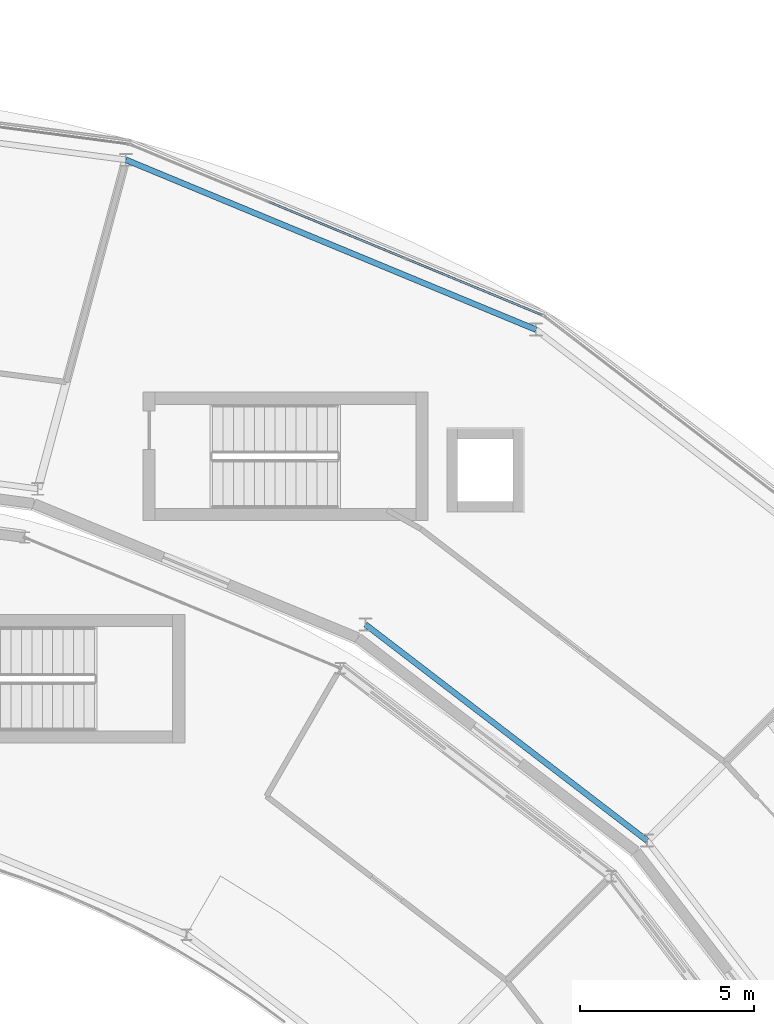
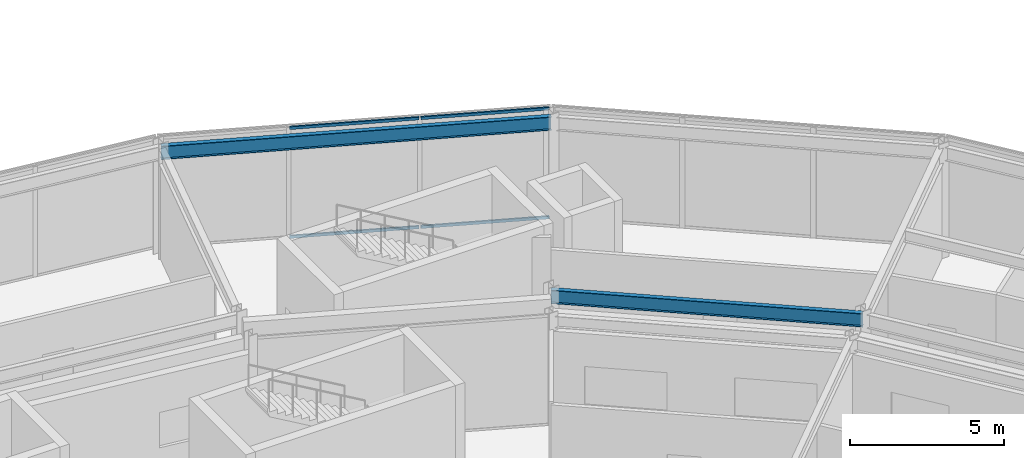
# One storey, part 83 of 157: 4 members, 2 beams, 1 element without a shape of its own.
"""IFC4 building model written with IfcOpenShell, lengths in metres."""

from ifc_helpers import new_model, si_unit, direction, frame, origin, origin_2d, place, context, subcontext, project, spatial, hollow_rectangle, i_section, extrude, material, material_profile, profile_set, type_object, element, aggregate, save


model = new_model("IFC4")

# Units and contexts
model_context = context("Model", 3, precision=1e-05, world=origin(), true_north=direction((0.0, 1.0)))
body_context = subcontext(model_context, "Body", "Model", "MODEL_VIEW")
ifc_project = project(units=[si_unit("LENGTHUNIT", "METRE"), si_unit("AREAUNIT", "SQUARE_METRE"), si_unit("VOLUMEUNIT", "CUBIC_METRE"), si_unit("PLANEANGLEUNIT", "RADIAN"), si_unit("MASSUNIT", "GRAM", prefix="KILO")], contexts=[model_context])

# Site, building, storey
site_placement = place(None, origin())
site = spatial("IfcSite", under=ifc_project, at=site_placement, CompositionType="ELEMENT")
building_placement = place(site_placement, origin())
building = spatial("IfcBuilding", under=site, at=building_placement, Name="Almandine Court Research Institute", CompositionType="ELEMENT")
storey_placement = place(building_placement, frame((0.0, 0.0, 5.25)))
storey = spatial("IfcBuildingStorey", under=building, at=storey_placement, Name="L01", CompositionType="ELEMENT", Elevation=5.25)

# Beams
ifc_material_1 = material(Name="Steel ASTM A992 Grade 50", Category="steel")
ifc_material_profile_1 = material_profile(ifc_material_1, i_section(OverallWidth=0.166015625, OverallDepth=0.534912109375, WebThickness=0.010009765625, FlangeThickness=0.01708984375, at=origin_2d()), Name="W530x85")
ifc_profile_set_1 = profile_set([ifc_material_profile_1], Name="Steel ASTM A992 Grade 50")
beam_type = type_object("IfcBeamType", Name="Beam-G-05-E", PredefinedType="SPANDREL", material=ifc_profile_set_1)
beam_1_placement = place(storey_placement, frame((114.64794921875, 83.64794921875, 4.10205078125), z_axis=(-0.793335653042, 0.608784478787, 0.0), x_axis=(-0.608784478787, -0.793335653042, 0.0)))
element("IfcBeam", 1, at=beam_1_placement, inside=storey, type_object=beam_type, Name="L01 Drum IN Ring Beam 03", PredefinedType="SPANDREL", context=body_context, shape_type="SweptSolid", body=[
    extrude(i_section(OverallWidth=0.166015625, OverallDepth=0.534912109375, WebThickness=0.010009765625, FlangeThickness=0.01708984375, at=origin_2d()), origin(), (0.0, 0.0, 1.0), 10.20751953125),
])
beam_2_placement = place(storey_placement, frame((111.449951171875, 98.34912109375, 4.10205078125), z_axis=(-0.923891897665, 0.382653578879, 0.0), x_axis=(-0.382653578879, -0.923891897665, 0.0)))
element("IfcBeam", 2, at=beam_2_placement, inside=storey, type_object=beam_type, Name="L01 Drum OUT Ring Beam 04", PredefinedType="SPANDREL", context=body_context, shape_type="SweptSolid", body=[
    extrude(i_section(OverallWidth=0.166015625, OverallDepth=0.534912109375, WebThickness=0.010009765625, FlangeThickness=0.01708984375, at=origin_2d()), origin(), (0.0, 0.0, 1.0), 12.765625),
])

# Curtain wall, members
ifc_material_2 = material(Name="Unitised Curtain Wall Framing and Solar Glazing", Category="glass")
curtain_wall_type = type_object("IfcCurtainWallType", Name="CW-CWG-20", PredefinedType="USERDEFINED", material=ifc_material_2)
curtain_wall_placement = place(storey_placement, origin())
curtain_wall = element("IfcCurtainWall", 3, at=curtain_wall_placement, inside=storey, type_object=curtain_wall_type, Name="L01 Stacked-Ring Drum Outer Unitised Glazing 04", ObjectType="UNITISED GLAZING", PredefinedType="USERDEFINED")
ifc_material_3 = material(Name="Anodised Aluminium AW-6063-T6", Category="aluminium")
ifc_material_profile_2 = material_profile(ifc_material_3, hollow_rectangle(XDim=0.06005859375, YDim=0.110107421875, WallThickness=0.00390625, at=origin_2d()), Name="ALU RHS 60x110x4")
ifc_profile_set_2 = profile_set([ifc_material_profile_2], Name="Anodised Aluminium AW-6063-T6")
member_type = type_object("IfcMemberType", Name="CWTrn-60x110", PredefinedType="NOTDEFINED", material=ifc_profile_set_2)
member_1_placement = place(storey_placement, frame((103.772705078125, 102.02294921875, 0.030029296875), z_axis=(0.92387693948, -0.382689692437, 0.0), x_axis=(0.382689692437, 0.92387693948, 0.0)))
member_1 = element("IfcMember", 4, at=member_1_placement, type_object=member_type, Name="CWG-20 transom 2.1", ObjectType="TRANSOM", PredefinedType="USERDEFINED", context=body_context, shape_type="SweptSolid", body=[
    extrude(hollow_rectangle(XDim=0.06005859375, YDim=0.110107421875, WallThickness=0.00390625, at=origin_2d()), origin(), (0.0, 0.0, 1.0), 4.23291015625),
])
member_2_placement = place(storey_placement, frame((103.772705078125, 102.02294921875, 4.340087890625), z_axis=(0.92387693948, -0.382689692437, 0.0), x_axis=(0.382689692437, 0.92387693948, 0.0)))
member_2 = element("IfcMember", 5, at=member_2_placement, type_object=member_type, Name="CWG-20 transom 2.2", ObjectType="TRANSOM", PredefinedType="USERDEFINED", context=body_context, shape_type="SweptSolid", body=[
    extrude(hollow_rectangle(XDim=0.06005859375, YDim=0.110107421875, WallThickness=0.00390625, at=origin_2d()), origin(), (0.0, 0.0, 1.0), 4.23291015625),
])
member_3_placement = place(storey_placement, frame((107.73876953125, 100.380126953125, 0.030029296875), z_axis=(0.923892933282, -0.382651078441, 0.0), x_axis=(0.382651078441, 0.923892933282, 0.0)))
member_3 = element("IfcMember", 6, at=member_3_placement, type_object=member_type, Name="CWG-20 transom 3.1", ObjectType="TRANSOM", PredefinedType="USERDEFINED", context=body_context, shape_type="SweptSolid", body=[
    extrude(hollow_rectangle(XDim=0.06005859375, YDim=0.110107421875, WallThickness=0.00390625, at=origin_2d()), origin(), (0.0, 0.0, 1.0), 4.20263671875),
])
member_4_placement = place(storey_placement, frame((107.73876953125, 100.380126953125, 4.340087890625), z_axis=(0.923892933282, -0.382651078441, 0.0), x_axis=(0.382651078441, 0.923892933282, 0.0)))
member_4 = element("IfcMember", 7, at=member_4_placement, type_object=member_type, Name="CWG-20 transom 3.2", ObjectType="TRANSOM", PredefinedType="USERDEFINED", context=body_context, shape_type="SweptSolid", body=[
    extrude(hollow_rectangle(XDim=0.06005859375, YDim=0.110107421875, WallThickness=0.00390625, at=origin_2d()), origin(), (0.0, 0.0, 1.0), 4.20263671875),
])
aggregate(curtain_wall, [member_1, member_2, member_3, member_4])

save(model, "model.ifc")
